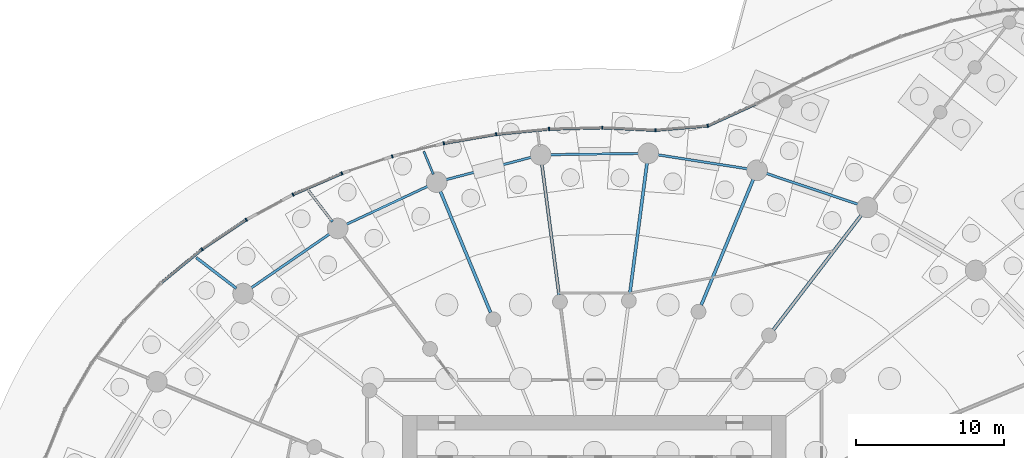
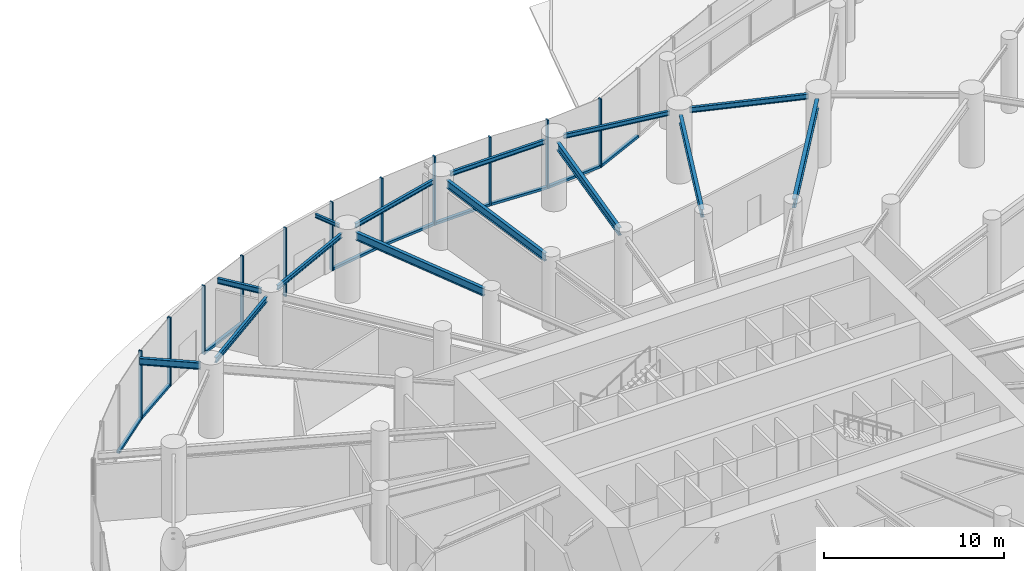
# One storey, part 11 of 28: 20 members, 14 beams, 3 elements without a shape of their own.
"""IFC4 building model written with IfcOpenShell, lengths in metres."""

from ifc_helpers import new_model, si_unit, direction, frame, origin, origin_2d, place, context, subcontext, project, spatial, rectangle, i_section, extrude, source, transform, mapped, material, layer, layer_set, material_profile, profile_set, type_object, element, aggregate, save


model = new_model("IFC4")

# Units and contexts
model_context = context("Model", 3, precision=1e-05, world=origin(), true_north=direction((0.0, 1.0)))
body_context = subcontext(model_context, "Body", "Model", "MODEL_VIEW")
ifc_project = project(units=[si_unit("LENGTHUNIT", "METRE"), si_unit("AREAUNIT", "SQUARE_METRE"), si_unit("VOLUMEUNIT", "CUBIC_METRE"), si_unit("PLANEANGLEUNIT", "RADIAN"), si_unit("MASSUNIT", "GRAM", prefix="KILO")], contexts=[model_context])

# Site, building, storey
site_placement = place(None, origin())
site = spatial("IfcSite", under=ifc_project, at=site_placement, CompositionType="ELEMENT")
building_placement = place(site_placement, origin())
building = spatial("IfcBuilding", under=site, at=building_placement, Name="Spindrift Exchange Tower", CompositionType="ELEMENT")
storey_placement = place(building_placement, origin())
storey = spatial("IfcBuildingStorey", under=building, at=storey_placement, Name="L00", CompositionType="ELEMENT", Elevation=0.0)

# Beams
ifc_material_1 = material(Name="Steel Grade 300", Category="steel")
ifc_material_profile_1 = material_profile(ifc_material_1, i_section(OverallWidth=0.22802734375, OverallDepth=0.60693359375, WebThickness=0.01123046875, FlangeThickness=0.017333984375, FilletRadius=0.013916015625, at=origin_2d()), Name="610UB113")
ifc_profile_set_1 = profile_set([ifc_material_profile_1], Name="Steel Grade 300")
beam_type_1 = type_object("IfcBeamType", Name="Floor Beam 610UB113 Steel Grade 300", PredefinedType="BEAM", material=ifc_profile_set_1)
shared_shape_1 = source(origin(), body_context, "Body", "SweptSolid", [
    extrude(i_section(OverallWidth=0.22802734375, OverallDepth=0.60693359375, WebThickness=0.01123046875, FlangeThickness=0.017333984375, FilletRadius=0.013916015625, at=origin_2d()), origin(), (0.0, 0.0, 1.0), 9.87548828125),
])
beam_1_placement = place(storey_placement, frame((64.127197265625, 63.8046875, 4.346435546875), z_axis=(0.608772470836, 0.793344867477, 0.0), x_axis=(-0.793344867477, 0.608772470836, 0.0)))
element("IfcBeam", 1, at=beam_1_placement, inside=storey, type_object=beam_type_1, Name="L00 radial beam R04B", PredefinedType="BEAM", context=body_context, shape_type="MappedRepresentation", body=[
    mapped(shared_shape_1, transform((0.0, 0.0, 0.0), scale=1.0)),
])
ifc_material_profile_2 = material_profile(ifc_material_1, i_section(OverallWidth=0.208984375, OverallDepth=0.532958984375, WebThickness=0.01025390625, FlangeThickness=0.015625, FilletRadius=0.013916015625, at=origin_2d()), Name="530UB92.4")
ifc_profile_set_2 = profile_set([ifc_material_profile_2], Name="Steel Grade 300")
beam_type_2 = type_object("IfcBeamType", Name="Floor Beam 530UB92.4 Steel Grade 300", PredefinedType="BEAM", material=ifc_profile_set_2)
shared_shape_2 = source(origin(), body_context, "Body", "SweptSolid", [
    extrude(i_section(OverallWidth=0.208984375, OverallDepth=0.532958984375, WebThickness=0.01025390625, FlangeThickness=0.015625, FilletRadius=0.013916015625, at=origin_2d()), origin(), (0.0, 0.0, 1.0), 9.309326171875),
])
beam_2_placement = place(storey_placement, frame((59.23828125, 65.474853515625, 4.383544921875), z_axis=(0.382685326691, 0.923878747853, 0.0), x_axis=(-0.923878747853, 0.382685326691, 0.0)))
element("IfcBeam", 2, at=beam_2_placement, inside=storey, type_object=beam_type_2, Name="L00 radial beam R05B", PredefinedType="BEAM", context=body_context, shape_type="MappedRepresentation", body=[
    mapped(shared_shape_2, transform((0.0, 0.0, 0.0), scale=1.0)),
])
shared_shape_3 = source(origin(), body_context, "Body", "SweptSolid", [
    extrude(i_section(OverallWidth=0.208984375, OverallDepth=0.532958984375, WebThickness=0.01025390625, FlangeThickness=0.015625, FilletRadius=0.013916015625, at=origin_2d()), origin(), (0.0, 0.0, 1.0), 9.020263671875),
])
beam_3_placement = place(storey_placement, frame((54.40185546875, 66.2431640625, 4.383544921875), z_axis=(0.13051122338, 0.991446831944, 0.0), x_axis=(-0.991446831944, 0.13051122338, 0.0)))
element("IfcBeam", 3, at=beam_3_placement, inside=storey, type_object=beam_type_2, Name="L00 radial beam R06B", PredefinedType="BEAM", context=body_context, shape_type="MappedRepresentation", body=[
    mapped(shared_shape_3, transform((0.0, 0.0, 0.0), scale=1.0)),
])
shared_shape_4 = source(origin(), body_context, "Body", "SweptSolid", [
    extrude(i_section(OverallWidth=0.208984375, OverallDepth=0.532958984375, WebThickness=0.01025390625, FlangeThickness=0.015625, FilletRadius=0.013916015625, at=origin_2d()), origin(), (0.0, 0.0, 1.0), 8.98388671875),
])
beam_4_placement = place(storey_placement, frame((49.606689453125, 66.17919921875, 4.383544921875), z_axis=(-0.130524106785, 0.991445135924, 0.0), x_axis=(-0.991445135924, -0.130524106785, 0.0)))
element("IfcBeam", 4, at=beam_4_placement, inside=storey, type_object=beam_type_2, Name="L00 radial beam R07B", PredefinedType="BEAM", context=body_context, shape_type="MappedRepresentation", body=[
    mapped(shared_shape_4, transform((0.0, 0.0, 0.0), scale=1.0)),
])
shared_shape_5 = source(origin(), body_context, "Body", "SweptSolid", [
    extrude(i_section(OverallWidth=0.208984375, OverallDepth=0.532958984375, WebThickness=0.01025390625, FlangeThickness=0.015625, FilletRadius=0.013916015625, at=origin_2d()), origin(), (0.0, 0.0, 1.0), 8.99658203125),
])
beam_5_placement = place(storey_placement, frame((44.974609375, 64.9609375, 4.383544921875), z_axis=(-0.382685731718, 0.923878580085, 0.0), x_axis=(-0.923878580085, -0.382685731718, 0.0)))
element("IfcBeam", 5, at=beam_5_placement, inside=storey, type_object=beam_type_2, Name="L00 radial beam R08B", PredefinedType="BEAM", context=body_context, shape_type="MappedRepresentation", body=[
    mapped(shared_shape_5, transform((0.0, 0.0, 0.0), scale=1.0)),
])
ifc_material_profile_3 = material_profile(ifc_material_1, i_section(OverallWidth=0.14599609375, OverallDepth=0.251953125, WebThickness=0.006103515625, FlangeThickness=0.008544921875, FilletRadius=0.011962890625, at=origin_2d()), Name="250UB31.4")
ifc_profile_set_3 = profile_set([ifc_material_profile_3], Name="Steel Grade 300")
beam_type_3 = type_object("IfcBeamType", Name="Cantilever Beam 250UB31.4 Steel Grade 300", PredefinedType="BEAM", material=ifc_profile_set_3)
shared_shape_6 = source(origin(), body_context, "Body", "SweptSolid", [
    extrude(i_section(OverallWidth=0.14599609375, OverallDepth=0.251953125, WebThickness=0.006103515625, FlangeThickness=0.008544921875, FilletRadius=0.011962890625, at=origin_2d()), origin(), (0.0, 0.0, 1.0), 1.677978515625),
])
beam_6_placement = place(storey_placement, frame((41.087890625, 74.344482421875, 4.52392578125), z_axis=(-0.382775805905, 0.923841264728, 0.0), x_axis=(-0.923841264728, -0.382775805905, 0.0)))
element("IfcBeam", 6, at=beam_6_placement, inside=storey, type_object=beam_type_3, Name="L00 cantilever beam R08T", PredefinedType="BEAM", context=body_context, shape_type="MappedRepresentation", body=[
    mapped(shared_shape_6, transform((0.0, 0.0, 0.0), scale=1.0)),
])
ifc_material_profile_4 = material_profile(ifc_material_1, i_section(OverallWidth=0.172119140625, OverallDepth=0.35888671875, WebThickness=0.008056640625, FlangeThickness=0.012939453125, FilletRadius=0.013916015625, at=origin_2d()), Name="360UB56.7")
ifc_profile_set_4 = profile_set([ifc_material_profile_4], Name="Steel Grade 300")
beam_type_4 = type_object("IfcBeamType", Name="Cantilever Beam 360UB56.7 Steel Grade 300", PredefinedType="BEAM", material=ifc_profile_set_4)
shared_shape_7 = source(origin(), body_context, "Body", "SweptSolid", [
    extrude(i_section(OverallWidth=0.172119140625, OverallDepth=0.35888671875, WebThickness=0.008056640625, FlangeThickness=0.012939453125, FilletRadius=0.013916015625, at=origin_2d()), origin(), (0.0, 0.0, 1.0), 2.63427734375),
])
beam_7_placement = place(storey_placement, frame((34.250244140625, 71.1318359375, 4.470458984375), z_axis=(-0.608801151582, 0.793322858509, 0.0), x_axis=(-0.793322858509, -0.608801151582, 0.0)))
element("IfcBeam", 7, at=beam_7_placement, inside=storey, type_object=beam_type_4, Name="L00 cantilever beam R09T", PredefinedType="BEAM", context=body_context, shape_type="MappedRepresentation", body=[
    mapped(shared_shape_7, transform((0.0, 0.0, 0.0), scale=1.0)),
])
ifc_material_profile_5 = material_profile(ifc_material_1, i_section(OverallWidth=0.18994140625, OverallDepth=0.45703125, WebThickness=0.009033203125, FlangeThickness=0.014404296875, FilletRadius=0.013916015625, at=origin_2d()), Name="460UB74.6")
ifc_profile_set_5 = profile_set([ifc_material_profile_5], Name="Steel Grade 300")
beam_type_5 = type_object("IfcBeamType", Name="Cantilever Beam 460UB74.6 Steel Grade 300", PredefinedType="BEAM", material=ifc_profile_set_5)
shared_shape_8 = source(origin(), body_context, "Body", "SweptSolid", [
    extrude(i_section(OverallWidth=0.18994140625, OverallDepth=0.45703125, WebThickness=0.009033203125, FlangeThickness=0.014404296875, FilletRadius=0.013916015625, at=origin_2d()), origin(), (0.0, 0.0, 1.0), 3.412353515625),
])
beam_8_placement = place(storey_placement, frame((27.7392578125, 66.615966796875, 4.42138671875), z_axis=(-0.793349503844, 0.608766428732, 0.0), x_axis=(-0.608766428732, -0.793349503844, 0.0)))
element("IfcBeam", 8, at=beam_8_placement, inside=storey, type_object=beam_type_5, Name="L00 cantilever beam R10T", PredefinedType="BEAM", context=body_context, shape_type="MappedRepresentation", body=[
    mapped(shared_shape_8, transform((0.0, 0.0, 0.0), scale=1.0)),
])
ifc_material_profile_6 = material_profile(ifc_material_1, i_section(OverallWidth=0.172119140625, OverallDepth=0.35888671875, WebThickness=0.008056640625, FlangeThickness=0.012939453125, FilletRadius=0.013916015625, at=origin_2d()), Name="360UB56.7")
ifc_profile_set_6 = profile_set([ifc_material_profile_6], Name="Steel Grade 300")
beam_type_6 = type_object("IfcBeamType", Name="Edge Beam 360UB56.7 Steel Grade 300", PredefinedType="SPANDREL", material=ifc_profile_set_6)
shared_shape_9 = source(origin(), body_context, "Body", "SweptSolid", [
    extrude(i_section(OverallWidth=0.172119140625, OverallDepth=0.35888671875, WebThickness=0.008056640625, FlangeThickness=0.012939453125, FilletRadius=0.013916015625, at=origin_2d()), origin(), (0.0, 0.0, 1.0), 6.72021484375),
])
beam_9_placement = place(storey_placement, frame((69.9423828125, 72.28466796875, 4.470458984375), z_axis=(-0.947851749681, 0.318711563372, 0.0), x_axis=(-0.318711563372, -0.947851749681, 0.0)))
element("IfcBeam", 9, at=beam_9_placement, inside=storey, type_object=beam_type_6, Name="L00 edge beam E04", PredefinedType="SPANDREL", context=body_context, shape_type="MappedRepresentation", body=[
    mapped(shared_shape_9, transform((0.0, 0.0, 0.0), scale=1.0)),
])
ifc_material_profile_7 = material_profile(ifc_material_1, i_section(OverallWidth=0.1650390625, OverallDepth=0.303955078125, WebThickness=0.006103515625, FlangeThickness=0.01025390625, FilletRadius=0.011474609375, at=origin_2d()), Name="310UB40.4")
ifc_profile_set_7 = profile_set([ifc_material_profile_7], Name="Steel Grade 300")
beam_type_7 = type_object("IfcBeamType", Name="Edge Beam 310UB40.4 Steel Grade 300", PredefinedType="SPANDREL", material=ifc_profile_set_7)
shared_shape_10 = source(origin(), body_context, "Body", "SweptSolid", [
    extrude(i_section(OverallWidth=0.1650390625, OverallDepth=0.303955078125, WebThickness=0.006103515625, FlangeThickness=0.01025390625, FilletRadius=0.011474609375, at=origin_2d()), origin(), (0.0, 0.0, 1.0), 6.297119140625),
])
beam_10_placement = place(storey_placement, frame((62.44970703125, 74.70068359375, 4.498046875), z_axis=(-0.98802902915, 0.154268070436, 0.0), x_axis=(-0.154268070436, -0.98802902915, 0.0)))
element("IfcBeam", 10, at=beam_10_placement, inside=storey, type_object=beam_type_7, Name="L00 edge beam E05", PredefinedType="SPANDREL", context=body_context, shape_type="MappedRepresentation", body=[
    mapped(shared_shape_10, transform((0.0, 0.0, 0.0), scale=1.0)),
])
shared_shape_11 = source(origin(), body_context, "Body", "SweptSolid", [
    extrude(i_section(OverallWidth=0.1650390625, OverallDepth=0.303955078125, WebThickness=0.006103515625, FlangeThickness=0.01025390625, FilletRadius=0.011474609375, at=origin_2d()), origin(), (0.0, 0.0, 1.0), 6.13720703125),
])
beam_11_placement = place(storey_placement, frame((55.074951171875, 75.75341796875, 4.498046875), z_axis=(-0.999905820907, -0.013724041543, 0.0), x_axis=(0.013724041543, -0.999905820907, 0.0)))
element("IfcBeam", 11, at=beam_11_placement, inside=storey, type_object=beam_type_7, Name="L00 edge beam E06", PredefinedType="SPANDREL", context=body_context, shape_type="MappedRepresentation", body=[
    mapped(shared_shape_11, transform((0.0, 0.0, 0.0), scale=1.0)),
])
shared_shape_12 = source(origin(), body_context, "Body", "SweptSolid", [
    extrude(i_section(OverallWidth=0.1650390625, OverallDepth=0.303955078125, WebThickness=0.006103515625, FlangeThickness=0.01025390625, FilletRadius=0.011474609375, at=origin_2d()), origin(), (0.0, 0.0, 1.0), 6.128173828125),
])
beam_12_placement = place(storey_placement, frame((47.79736328125, 75.513916015625, 4.498046875), z_axis=(-0.967147261855, -0.254216785216, 0.0), x_axis=(0.254216785216, -0.967147261855, 0.0)))
element("IfcBeam", 12, at=beam_12_placement, inside=storey, type_object=beam_type_7, Name="L00 edge beam E07", PredefinedType="SPANDREL", context=body_context, shape_type="MappedRepresentation", body=[
    mapped(shared_shape_12, transform((0.0, 0.0, 0.0), scale=1.0)),
])
shared_shape_13 = source(origin(), body_context, "Body", "SweptSolid", [
    extrude(i_section(OverallWidth=0.1650390625, OverallDepth=0.303955078125, WebThickness=0.006103515625, FlangeThickness=0.01025390625, FilletRadius=0.011474609375, at=origin_2d()), origin(), (0.0, 0.0, 1.0), 6.243408203125),
])
beam_13_placement = place(storey_placement, frame((40.7841796875, 73.56298828125, 4.498046875), z_axis=(-0.905791146607, -0.423724437257, 0.0), x_axis=(0.423724437257, -0.905791146607, 0.0)))
element("IfcBeam", 13, at=beam_13_placement, inside=storey, type_object=beam_type_7, Name="L00 edge beam E08", PredefinedType="SPANDREL", context=body_context, shape_type="MappedRepresentation", body=[
    mapped(shared_shape_13, transform((0.0, 0.0, 0.0), scale=1.0)),
])
shared_shape_14 = source(origin(), body_context, "Body", "SweptSolid", [
    extrude(i_section(OverallWidth=0.172119140625, OverallDepth=0.35888671875, WebThickness=0.008056640625, FlangeThickness=0.012939453125, FilletRadius=0.013916015625, at=origin_2d()), origin(), (0.0, 0.0, 1.0), 6.614990234375),
])
beam_14_placement = place(storey_placement, frame((34.125732421875, 70.3427734375, 4.470458984375), z_axis=(-0.823690708835, -0.567039342708, 0.0), x_axis=(0.567039342708, -0.823690708835, 0.0)))
element("IfcBeam", 14, at=beam_14_placement, inside=storey, type_object=beam_type_6, Name="L00 edge beam E09", PredefinedType="SPANDREL", context=body_context, shape_type="MappedRepresentation", body=[
    mapped(shared_shape_14, transform((0.0, 0.0, 0.0), scale=1.0)),
])

# Curtain wall, members
ifc_material_2 = material(Name="Fritted laminated glass with bronze frame", Category="glass")
ifc_layer = layer(ifc_material_2, 0.219970703125)
ifc_layer_set = layer_set([ifc_layer], Name="PODIUM BRONZE GLAZED WALL")
curtain_wall_type = type_object("IfcCurtainWallType", Name="PODIUM BRONZE GLAZED WALL", PredefinedType="NOTDEFINED", material=ifc_layer_set)
curtain_wall_1_placement = place(storey_placement, origin())
curtain_wall_1 = element("IfcCurtainWall", 15, at=curtain_wall_1_placement, inside=storey, type_object=curtain_wall_type, Name="L00 Podium Bronze Glazed Wall run 4", PredefinedType="NOTDEFINED")
ifc_material_3 = material(Name="Bronze anodised aluminium", Category="aluminium")
ifc_material_profile_8 = material_profile(ifc_material_3, rectangle(XDim=0.090087890625, YDim=0.219970703125, at=origin_2d()), Name="PODIUM BRONZE GLAZED WALL MULLION 90X220")
ifc_profile_set_8 = profile_set([ifc_material_profile_8], Name="Bronze anodised aluminium")
member_type_1 = type_object("IfcMemberType", Name="PODIUM BRONZE GLAZED WALL MULLION 90X220", PredefinedType="MULLION", material=ifc_profile_set_8)
shared_shape_15 = source(origin(), body_context, "Body", "SweptSolid", [
    extrude(rectangle(XDim=0.090087890625, YDim=0.219970703125, at=origin_2d()), origin(), (0.0, 0.0, 1.0), 4.64990234375),
])
member_1_placement = place(storey_placement, frame((59.685302734375, 77.627197265625, 0.0), z_axis=(0.0, 0.0, 1.0), x_axis=(-0.967642723803, -0.252324313278, 0.0)))
member_1 = element("IfcMember", 16, at=member_1_placement, type_object=member_type_1, Name="L00 mullion CW-P.22", PredefinedType="MULLION", context=body_context, shape_type="MappedRepresentation", body=[
    mapped(shared_shape_15, transform((0.0, 0.0, 0.0), scale=1.0)),
])
member_2_placement = place(storey_placement, frame((56.13720703125, 77.32763671875, 0.0), z_axis=(0.0, 0.0, 1.0), x_axis=(-0.999826978075, -0.01860144923, 0.0)))
member_2 = element("IfcMember", 17, at=member_2_placement, type_object=member_type_1, Name="L00 mullion CW-P.23", PredefinedType="MULLION", context=body_context, shape_type="MappedRepresentation", body=[
    mapped(shared_shape_15, transform((0.0, 0.0, 0.0), scale=1.0)),
])
member_3_placement = place(storey_placement, frame((52.53857421875, 77.496826171875, 0.0), z_axis=(0.0, 0.0, 1.0), x_axis=(-0.999941328454, 0.010832342729, 0.0)))
member_3 = element("IfcMember", 18, at=member_3_placement, type_object=member_type_1, Name="L00 mullion CW-P.24", PredefinedType="MULLION", context=body_context, shape_type="MappedRepresentation", body=[
    mapped(shared_shape_15, transform((0.0, 0.0, 0.0), scale=1.0)),
])

curtain_wall_2_placement = place(storey_placement, origin())
curtain_wall_2 = element("IfcCurtainWall", 19, at=curtain_wall_2_placement, inside=storey, type_object=curtain_wall_type, Name="L00 Podium Bronze Glazed Wall run 5", PredefinedType="NOTDEFINED")
member_4_placement = place(storey_placement, frame((48.936767578125, 77.40576171875, 0.0), z_axis=(0.0, 0.0, 1.0), x_axis=(-0.998098116192, -0.061645360355, 0.0)))
member_4 = element("IfcMember", 20, at=member_4_placement, type_object=member_type_1, Name="L00 mullion CW-P.25", PredefinedType="MULLION", context=body_context, shape_type="MappedRepresentation", body=[
    mapped(shared_shape_15, transform((0.0, 0.0, 0.0), scale=1.0)),
])
member_5_placement = place(storey_placement, frame((45.351318359375, 77.052978515625, 0.0), z_axis=(0.0, 0.0, 1.0), x_axis=(-0.990913245691, -0.134502563227, 0.0)))
member_5 = element("IfcMember", 21, at=member_5_placement, type_object=member_type_1, Name="L00 mullion CW-P.26", PredefinedType="MULLION", context=body_context, shape_type="MappedRepresentation", body=[
    mapped(shared_shape_15, transform((0.0, 0.0, 0.0), scale=1.0)),
])
member_6_placement = place(storey_placement, frame((41.801513671875, 76.437255859375, 0.0), z_axis=(0.0, 0.0, 1.0), x_axis=(-0.97812131942, -0.208035296276, 0.0)))
member_6 = element("IfcMember", 22, at=member_6_placement, type_object=member_type_1, Name="L00 mullion CW-P.27", PredefinedType="MULLION", context=body_context, shape_type="MappedRepresentation", body=[
    mapped(shared_shape_15, transform((0.0, 0.0, 0.0), scale=1.0)),
])
member_7_placement = place(storey_placement, frame((38.30859375, 75.55517578125, 0.0), z_axis=(0.0, 0.0, 1.0), x_axis=(-0.959252347303, -0.282550763923, 0.0)))
member_7 = element("IfcMember", 23, at=member_7_placement, type_object=member_type_1, Name="L00 mullion CW-P.28", PredefinedType="MULLION", context=body_context, shape_type="MappedRepresentation", body=[
    mapped(shared_shape_15, transform((0.0, 0.0, 0.0), scale=1.0)),
])
member_8_placement = place(storey_placement, frame((34.895263671875, 74.40283203125, 0.0), z_axis=(0.0, 0.0, 1.0), x_axis=(-0.933489236515, -0.358605417292, 0.0)))
member_8 = element("IfcMember", 24, at=member_8_placement, type_object=member_type_1, Name="L00 mullion CW-P.29", PredefinedType="MULLION", context=body_context, shape_type="MappedRepresentation", body=[
    mapped(shared_shape_15, transform((0.0, 0.0, 0.0), scale=1.0)),
])
member_9_placement = place(storey_placement, frame((31.58837890625, 72.973388671875, 0.0), z_axis=(0.0, 0.0, 1.0), x_axis=(-0.899806217662, -0.43628977831, 0.0)))
member_9 = element("IfcMember", 25, at=member_9_placement, type_object=member_type_1, Name="L00 mullion CW-P.30", PredefinedType="MULLION", context=body_context, shape_type="MappedRepresentation", body=[
    mapped(shared_shape_15, transform((0.0, 0.0, 0.0), scale=1.0)),
])

curtain_wall_3_placement = place(storey_placement, origin())
curtain_wall_3 = element("IfcCurtainWall", 26, at=curtain_wall_3_placement, inside=storey, type_object=curtain_wall_type, Name="L00 Podium Bronze Glazed Wall run 6", PredefinedType="NOTDEFINED")
member_10_placement = place(storey_placement, frame((28.41845703125, 71.262451171875, 0.0), z_axis=(0.0, 0.0, 1.0), x_axis=(-0.856959794091, -0.515383266425, 0.0)))
member_10 = element("IfcMember", 27, at=member_10_placement, type_object=member_type_1, Name="L00 mullion CW-P.31", PredefinedType="MULLION", context=body_context, shape_type="MappedRepresentation", body=[
    mapped(shared_shape_15, transform((0.0, 0.0, 0.0), scale=1.0)),
])
member_11_placement = place(storey_placement, frame((25.421142578125, 69.264404296875, 0.0), z_axis=(0.0, 0.0, 1.0), x_axis=(-0.803241279116, -0.59565379838, 0.0)))
member_11 = element("IfcMember", 28, at=member_11_placement, type_object=member_type_1, Name="L00 mullion CW-P.32", PredefinedType="MULLION", context=body_context, shape_type="MappedRepresentation", body=[
    mapped(shared_shape_15, transform((0.0, 0.0, 0.0), scale=1.0)),
])

# Member
ifc_material_profile_9 = material_profile(ifc_material_3, rectangle(XDim=0.199951171875, YDim=0.159912109375, at=origin_2d()), Name="PODIUM BRONZE GLAZED WALL TRANSOM 200X160")
ifc_profile_set_9 = profile_set([ifc_material_profile_9], Name="Bronze anodised aluminium")
member_type_2 = type_object("IfcMemberType", Name="PODIUM BRONZE GLAZED WALL TRANSOM 200X160", PredefinedType="USERDEFINED", material=ifc_profile_set_9)
shared_shape_16 = source(origin(), body_context, "Body", "SweptSolid", [
    extrude(rectangle(XDim=0.199951171875, YDim=0.159912109375, at=origin_2d()), origin(), (0.0, 0.0, 1.0), 3.5126953125),
])
member_12_placement = place(storey_placement, frame((56.09228515625, 77.329833984375, 0.080078125), z_axis=(-0.998895644008, 0.046983958764, 0.0), x_axis=(-0.046983958764, -0.998895644008, 0.0)))
member_12 = element("IfcMember", 29, at=member_12_placement, type_object=member_type_2, Name="L00 transom CW-P.23", ObjectType="TRANSOM", PredefinedType="USERDEFINED", context=body_context, shape_type="MappedRepresentation", body=[
    mapped(shared_shape_16, transform((0.0, 0.0, 0.0), scale=1.0)),
])

member_13_placement = place(storey_placement, frame((45.306884765625, 77.04541015625, 0.080078125), z_axis=(-0.985274941817, -0.170977451811, 0.0), x_axis=(0.170977451811, -0.985274941817, 0.0)))
member_13 = element("IfcMember", 30, at=member_13_placement, type_object=member_type_2, Name="L00 transom CW-P.26", ObjectType="TRANSOM", PredefinedType="USERDEFINED", context=body_context, shape_type="MappedRepresentation", body=[
    mapped(shared_shape_16, transform((0.0, 0.0, 0.0), scale=1.0)),
])

member_14_placement = place(storey_placement, frame((34.85400390625, 74.385009765625, 0.080078125), z_axis=(-0.91793640161, -0.396727567229, 0.0), x_axis=(0.396727567229, -0.91793640161, 0.0)))
member_14 = element("IfcMember", 31, at=member_14_placement, type_object=member_type_2, Name="L00 transom CW-P.29", ObjectType="TRANSOM", PredefinedType="USERDEFINED", context=body_context, shape_type="MappedRepresentation", body=[
    mapped(shared_shape_16, transform((0.0, 0.0, 0.0), scale=1.0)),
])

shared_shape_17 = source(origin(), body_context, "Body", "SweptSolid", [
    extrude(rectangle(XDim=0.199951171875, YDim=0.159912109375, at=origin_2d()), origin(), (0.0, 0.0, 1.0), 3.512939453125),
])
member_15_placement = place(storey_placement, frame((52.493408203125, 77.495849609375, 0.080078125), z_axis=(-0.999678199503, -0.025367251308, 0.0), x_axis=(0.025367251308, -0.999678199503, 0.0)))
member_15 = element("IfcMember", 32, at=member_15_placement, type_object=member_type_2, Name="L00 transom CW-P.24", ObjectType="TRANSOM", PredefinedType="USERDEFINED", context=body_context, shape_type="MappedRepresentation", body=[
    mapped(shared_shape_17, transform((0.0, 0.0, 0.0), scale=1.0)),
])

member_16_placement = place(storey_placement, frame((48.89208984375, 77.4013671875, 0.080078125), z_axis=(-0.995194191693, -0.097920992744, 0.0), x_axis=(0.097920992744, -0.995194191693, 0.0)))
member_16 = element("IfcMember", 33, at=member_16_placement, type_object=member_type_2, Name="L00 transom CW-P.25", ObjectType="TRANSOM", PredefinedType="USERDEFINED", context=body_context, shape_type="MappedRepresentation", body=[
    mapped(shared_shape_17, transform((0.0, 0.0, 0.0), scale=1.0)),
])

aggregate(curtain_wall_2, [member_4, member_16, member_5, member_13, member_6, member_7, member_8, member_14, member_9])

shared_shape_18 = source(origin(), body_context, "Body", "SweptSolid", [
    extrude(rectangle(XDim=0.199951171875, YDim=0.159912109375, at=origin_2d()), origin(), (0.0, 0.0, 1.0), 3.51025390625),
])
member_17_placement = place(storey_placement, frame((62.9228515625, 79.09619140625, 0.080078125), z_axis=(-0.910637818149, -0.4132054745, 0.0), x_axis=(0.4132054745, -0.910637818149, 0.0)))
member_17 = element("IfcMember", 34, at=member_17_placement, type_object=member_type_2, Name="L00 transom CW-P.21", ObjectType="TRANSOM", PredefinedType="USERDEFINED", context=body_context, shape_type="MappedRepresentation", body=[
    mapped(shared_shape_18, transform((0.0, 0.0, 0.0), scale=1.0)),
])

shared_shape_19 = source(origin(), body_context, "Body", "SweptSolid", [
    extrude(rectangle(XDim=0.199951171875, YDim=0.159912109375, at=origin_2d()), origin(), (0.0, 0.0, 1.0), 3.470458984375),
])
member_18_placement = place(storey_placement, frame((59.640380859375, 77.623291015625, 0.080078125), z_axis=(-0.996460336323, -0.084064250046, 0.0), x_axis=(0.084064250046, -0.996460336323, 0.0)))
member_18 = element("IfcMember", 35, at=member_18_placement, type_object=member_type_2, Name="L00 transom CW-P.22", ObjectType="TRANSOM", PredefinedType="USERDEFINED", context=body_context, shape_type="MappedRepresentation", body=[
    mapped(shared_shape_19, transform((0.0, 0.0, 0.0), scale=1.0)),
])

aggregate(curtain_wall_1, [member_17, member_1, member_18, member_2, member_12, member_3, member_15])

shared_shape_20 = source(origin(), body_context, "Body", "SweptSolid", [
    extrude(rectangle(XDim=0.199951171875, YDim=0.159912109375, at=origin_2d()), origin(), (0.0, 0.0, 1.0), 3.511962890625),
])
member_19_placement = place(storey_placement, frame((28.380859375, 71.237548828125, 0.080078125), z_axis=(-0.832060989261, -0.554684153506, 0.0), x_axis=(0.554684153506, -0.832060989261, 0.0)))
member_19 = element("IfcMember", 36, at=member_19_placement, type_object=member_type_2, Name="L00 transom CW-P.31", ObjectType="TRANSOM", PredefinedType="USERDEFINED", context=body_context, shape_type="MappedRepresentation", body=[
    mapped(shared_shape_20, transform((0.0, 0.0, 0.0), scale=1.0)),
])

member_20_placement = place(storey_placement, frame((25.386474609375, 69.23583984375, 0.080078125), z_axis=(-0.772415633745, -0.635117381864, 0.0), x_axis=(0.635117381864, -0.772415633745, 0.0)))
member_20 = element("IfcMember", 37, at=member_20_placement, type_object=member_type_2, Name="L00 transom CW-P.32", ObjectType="TRANSOM", PredefinedType="USERDEFINED", context=body_context, shape_type="MappedRepresentation", body=[
    mapped(shared_shape_20, transform((0.0, 0.0, 0.0), scale=1.0)),
])

aggregate(curtain_wall_3, [member_10, member_19, member_11, member_20])

save(model, "model.ifc")
